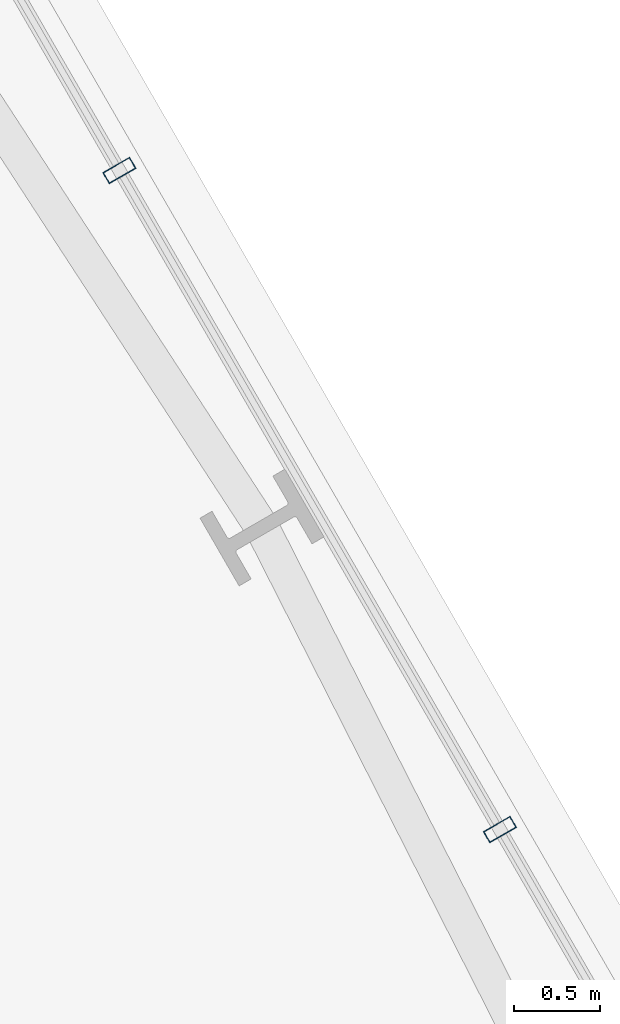
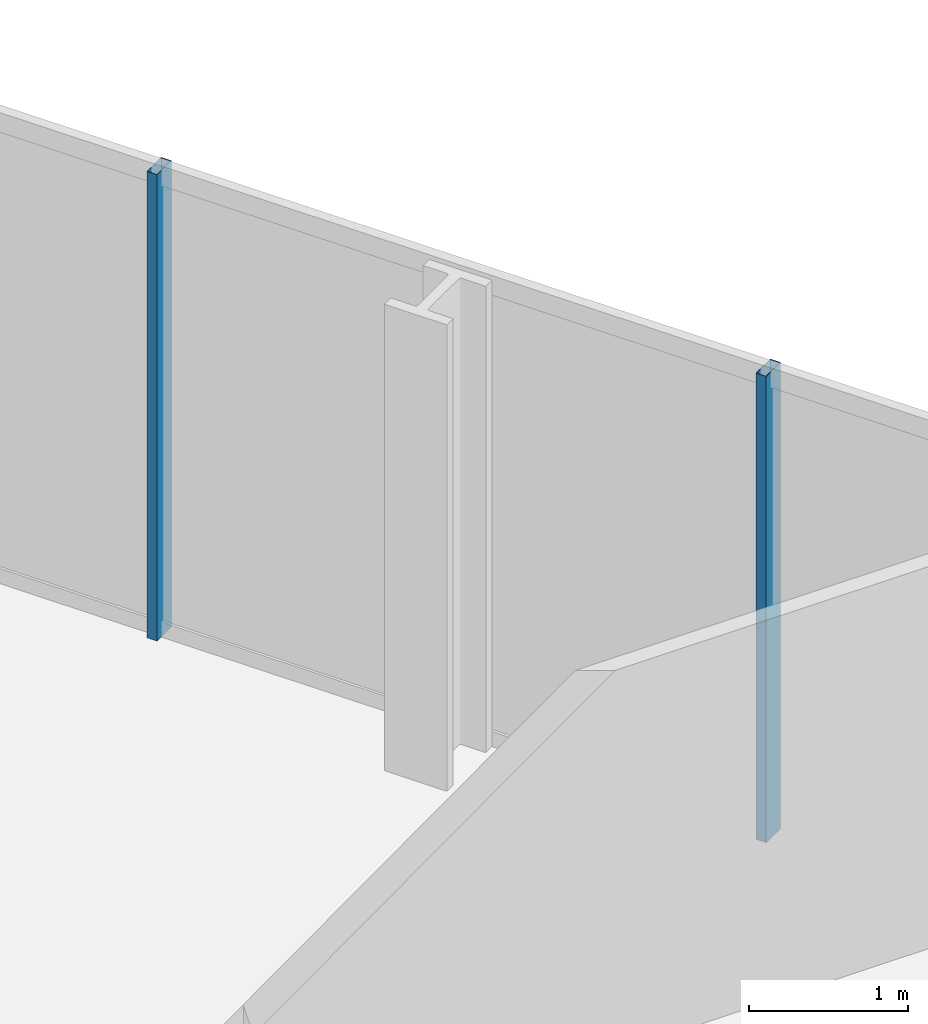
# One storey, part 19 of 32: 2 members, 1 element without a shape of its own.
"""IFC4 building model written with IfcOpenShell, lengths in metres."""

from ifc_helpers import new_model, si_unit, direction, frame, origin, origin_2d, place, context, subcontext, project, spatial, hollow_rectangle, extrude, material, layer, layer_set, material_profile, profile_set, type_object, element, aggregate, save


model = new_model("IFC4")

# Units and contexts
model_context = context("Model", 3, precision=1e-05, world=origin(), true_north=direction((0.0, 1.0)))
body_context = subcontext(model_context, "Body", "Model", "MODEL_VIEW")
ifc_project = project(units=[si_unit("LENGTHUNIT", "METRE"), si_unit("AREAUNIT", "SQUARE_METRE"), si_unit("VOLUMEUNIT", "CUBIC_METRE"), si_unit("PLANEANGLEUNIT", "RADIAN"), si_unit("MASSUNIT", "GRAM", prefix="KILO")], contexts=[model_context])

# Site, building, storey
site_placement = place(None, origin())
site = spatial("IfcSite", under=ifc_project, at=site_placement, CompositionType="ELEMENT")
building_placement = place(site_placement, origin())
building = spatial("IfcBuilding", under=site, at=building_placement, Name="Ndaravel Arena Tower", CompositionType="ELEMENT")
storey_placement = place(building_placement, frame((0.0, 0.0, 47.39990234375)))
storey = spatial("IfcBuildingStorey", under=building, at=storey_placement, Name="L09", CompositionType="ELEMENT", Elevation=47.39990234375)

# Curtain wall, members
ifc_material_1 = material(Name="Aluminium", Category="aluminium")
ifc_layer = layer(ifc_material_1, 0.179931640625)
ifc_layer_set = layer_set([ifc_layer], Name="Aluminium")
curtain_wall_type = type_object("IfcCurtainWallType", Name="CW-SYS-03", PredefinedType="NOTDEFINED", material=ifc_layer_set)
curtain_wall_placement = place(storey_placement, origin())
curtain_wall = element("IfcCurtainWall", 1, at=curtain_wall_placement, inside=storey, type_object=curtain_wall_type, Name="L09 Faceted Crystal Curtain Wall CW-L09-E03", PredefinedType="NOTDEFINED")
ifc_material_2 = material(Name="Aluminium", Category="aluminium")
ifc_material_profile = material_profile(ifc_material_2, hollow_rectangle(XDim=0.074951171875, YDim=0.179931640625, WallThickness=0.00390625, at=origin_2d()), Name="CW MULLION 75x180x4")
ifc_profile_set = profile_set([ifc_material_profile], Name="Aluminium")
member_type = type_object("IfcMemberType", Name="MEM-CW-MUL180", PredefinedType="MULLION", material=ifc_profile_set)
member_1_placement = place(storey_placement, frame((58.85888671875, 30.5302734375, 0.0), z_axis=(0.0, 0.0, 1.0), x_axis=(-0.5, 0.866025403784, 0.0)))
member_1 = element("IfcMember", 2, at=member_1_placement, type_object=member_type, Name="CW-L09-E03 Mullion 03", PredefinedType="MULLION", context=body_context, shape_type="SweptSolid", body=[
    extrude(hollow_rectangle(XDim=0.074951171875, YDim=0.179931640625, WallThickness=0.00390625, at=origin_2d()), origin(), (0.0, 0.0, 1.0), 3.580078125),
])
member_2_placement = place(storey_placement, frame((56.6474609375, 34.360595703125, 0.0), z_axis=(0.0, 0.0, 1.0), x_axis=(-0.5, 0.866025403784, 0.0)))
member_2 = element("IfcMember", 3, at=member_2_placement, type_object=member_type, Name="CW-L09-E03 Mullion 04", PredefinedType="MULLION", context=body_context, shape_type="SweptSolid", body=[
    extrude(hollow_rectangle(XDim=0.074951171875, YDim=0.179931640625, WallThickness=0.00390625, at=origin_2d()), origin(), (0.0, 0.0, 1.0), 3.580078125),
])
aggregate(curtain_wall, [member_1, member_2])

save(model, "model.ifc")
